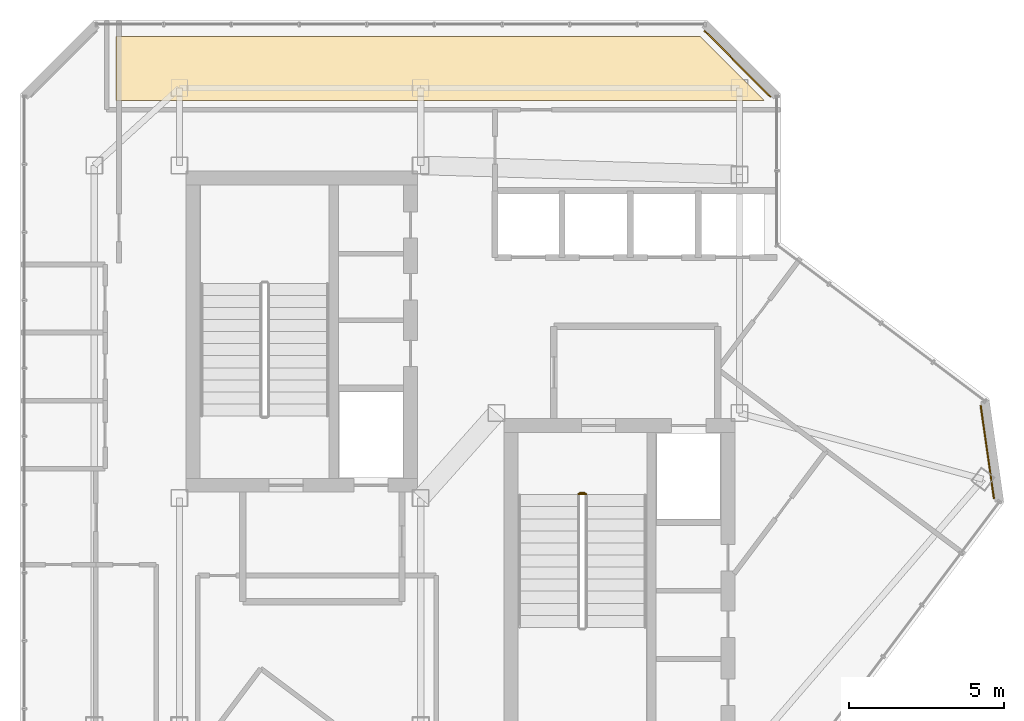
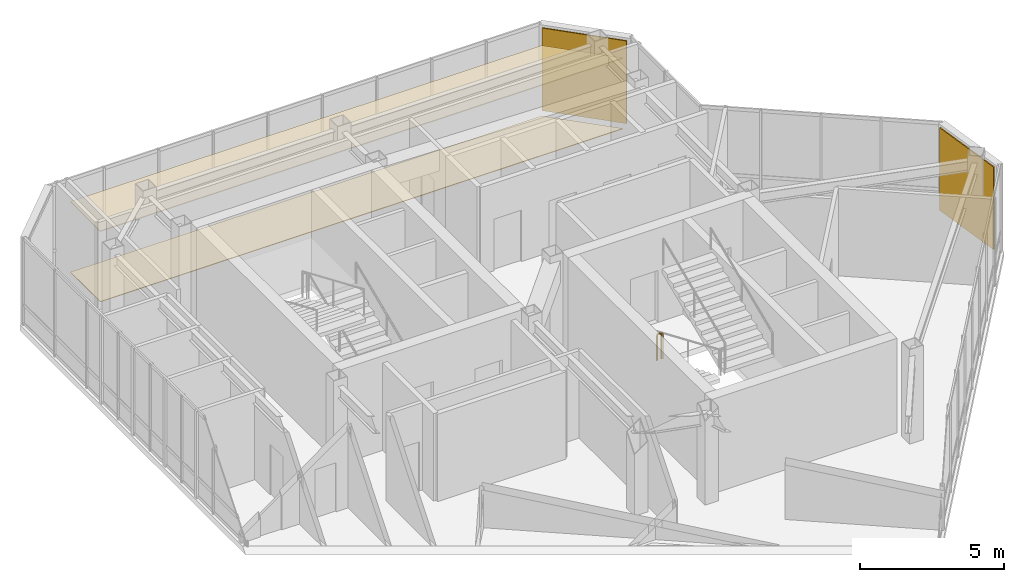
# One storey, part 24 of 24: 4 coverings, 2 railings.
"""IFC4 building model written with IfcOpenShell, lengths in metres."""

from ifc_helpers import new_model, si_unit, direction, frame, origin, origin_2d, place, context, subcontext, project, spatial, polyline, rectangle, circle, outline, extrude, material, layer, layer_set, type_object, element, save


model = new_model("IFC4")

# Units and contexts
model_context = context("Model", 3, precision=1e-05, world=origin(), true_north=direction((0.0, 1.0)))
body_context = subcontext(model_context, "Body", "Model", "MODEL_VIEW")
ifc_project = project(units=[si_unit("LENGTHUNIT", "METRE"), si_unit("AREAUNIT", "SQUARE_METRE"), si_unit("VOLUMEUNIT", "CUBIC_METRE"), si_unit("PLANEANGLEUNIT", "RADIAN"), si_unit("MASSUNIT", "GRAM", prefix="KILO")], contexts=[model_context])

# Site, building, storey
site_placement = place(None, origin())
site = spatial("IfcSite", under=ifc_project, at=site_placement, CompositionType="ELEMENT")
building_placement = place(site_placement, origin())
building = spatial("IfcBuilding", under=site, at=building_placement, Name="Hatsunagi Terrace Concourse", CompositionType="ELEMENT")
storey_placement = place(building_placement, frame((0.0, 0.0, 285.949951171875)))
storey = spatial("IfcBuildingStorey", under=building, at=storey_placement, Name="L75", CompositionType="ELEMENT", Elevation=285.949951171875)

# Covering
ifc_material_1 = material(Name="Granite stone paving", Category="masonry")
ifc_layer_1 = layer(ifc_material_1, 0.02490234375)
ifc_layer_set_1 = layer_set([ifc_layer_1], Name="GraniteStoneFlooring_25")
covering_type_1 = type_object("IfcCoveringType", Name="GraniteStoneFlooring_25", PredefinedType="FLOORING", material=ifc_layer_set_1)
covering_1_placement = place(storey_placement, origin())
element("IfcCovering", 1, at=covering_1_placement, inside=storey, type_object=covering_type_1, Name="Finished Flooring L75-2", PredefinedType="FLOORING", context=body_context, shape_type="SweptSolid", body=[
    extrude(outline(polyline([(42.3798828125, 47.469970703125), (23.5, 47.469970703125), (23.5, 45.39990234375), (44.449951171875, 45.39990234375), (42.3798828125, 47.469970703125)])), origin(), (0.0, 0.0, 1.0), 0.025146484375),
])

# Railings
ifc_material_2 = material(Name="Stainless steel", Category="steel")
ifc_layer_2 = layer(ifc_material_2, 0.06005859375)
ifc_layer_set_2 = layer_set([ifc_layer_2], Name="StairWellGuard_Tower2000")
railing_type_1 = type_object("IfcRailingType", Name="StairWellGuard_Tower2000", PredefinedType="BALUSTRADE", material=ifc_layer_set_2)
railing_1_placement = place(storey_placement, frame((38.5, 32.7099609375, 0.0)))
element("IfcRailing", 2, at=railing_1_placement, inside=storey, type_object=railing_type_1, Name="L75 ST-B stair guard 4", PredefinedType="BALUSTRADE", context=body_context, shape_type="SweptSolid", body=[
    extrude(circle(Radius=0.02392578125, at=origin_2d()), frame((0.0, 0.0, 1.09619140625), z_axis=(1.0, 0.0, 0.0), x_axis=(0.0, 1.0, 0.0)), (0.0, 0.0, 1.0), 0.14990234375),
    extrude(circle(Radius=0.02099609375, at=origin_2d()), origin(), (0.0, 0.0, 1.0), 1.072021484375),
    extrude(circle(Radius=0.02099609375, at=origin_2d()), frame((0.14990234375, 0.0, 0.0)), (0.0, 0.0, 1.0), 1.072021484375),
])
ifc_material_3 = material(Name="Stainless Steel SUS316 Post-and-Rail Guard", Category="steel")
ifc_layer_3 = layer(ifc_material_3, 0.080078125)
ifc_layer_set_3 = layer_set([ifc_layer_3], Name="TerracePlantedGuardRail_1200")
railing_type_2 = type_object("IfcRailingType", Name="TerracePlantedGuardRail_1200", PredefinedType="GUARDRAIL", material=ifc_layer_set_3)
railing_2_placement = place(storey_placement, frame((38.449951171875, 32.679931640625, 0.0)))
element("IfcRailing", 3, at=railing_2_placement, inside=storey, type_object=railing_type_2, Name="Stair ST-B Well Closure Guard L75", PredefinedType="GUARDRAIL", context=body_context, shape_type="SweptSolid", body=[
    extrude(circle(Radius=0.02392578125, at=origin_2d()), frame((0.0, 0.0, 1.09619140625), z_axis=(1.0, 0.0, 0.0), x_axis=(0.0, 1.0, 0.0)), (0.0, 0.0, 1.0), 0.25),
    extrude(circle(Radius=0.02099609375, at=origin_2d()), origin(), (0.0, 0.0, 1.0), 1.072021484375),
    extrude(circle(Radius=0.02099609375, at=origin_2d()), frame((0.25, 0.0, 0.0)), (0.0, 0.0, 1.0), 1.072021484375),
])

# Coverings
ifc_material_4 = material(Name="Unglazed Warm Terracotta Rainscreen Tile", Category="masonry")
ifc_layer_4 = layer(ifc_material_4, 0.044921875)
ifc_layer_set_4 = layer_set([ifc_layer_4], Name="TerracottaRainscreenCladding_45")
covering_type_2 = type_object("IfcCoveringType", Name="TerracottaRainscreenCladding_45", PredefinedType="CLADDING", material=ifc_layer_set_4)
for number, where, z_axis, x_axis, name in (
    (4, (51.660888671875, 34.0380859375, 0.10009765625), (0.0, 0.0, 1.0), (0.141250262458, -0.989973920543, 0.0), "Terracotta Rainscreen Cladding L75-02"),
    (5, (43.5859375, 46.5859375, 0.10009765625), (0.0, 0.0, 1.0), (0.707106781187, -0.707106781187, 0.0), "Terracotta Rainscreen Cladding L75-10"),
):
    element("IfcCovering", number, at=place(storey_placement, frame(where, z_axis=z_axis, x_axis=x_axis)), inside=storey, type_object=covering_type_2, Name=name, PredefinedType="CLADDING", context=body_context, shape_type="SweptSolid", body=[
        extrude(rectangle(XDim=3.0380859375, YDim=0.044921875, at=origin_2d()), origin(), (0.0, 0.0, 1.0), 3.5),
    ])
ifc_material_5 = material(Name="Hardwood timber", Category="wood")
ifc_layer_5 = layer(ifc_material_5, 0.034912109375)
ifc_layer_set_5 = layer_set([ifc_layer_5], Name="TimberBaffleCeiling_35")
covering_type_3 = type_object("IfcCoveringType", Name="TimberBaffleCeiling_35", PredefinedType="CEILING", material=ifc_layer_set_5)
covering_2_placement = place(storey_placement, frame((0.0, 0.0, 2.97998046875)))
element("IfcCovering", 6, at=covering_2_placement, inside=storey, type_object=covering_type_3, Name="Suspended Ceiling L75-2", PredefinedType="CEILING", context=body_context, shape_type="SweptSolid", body=[
    extrude(outline(polyline([(42.3798828125, 47.469970703125), (23.5, 47.469970703125), (23.5, 45.39990234375), (44.449951171875, 45.39990234375), (42.3798828125, 47.469970703125)])), origin(), (0.0, 0.0, 1.0), 0.03515625),
])

save(model, "model.ifc")
